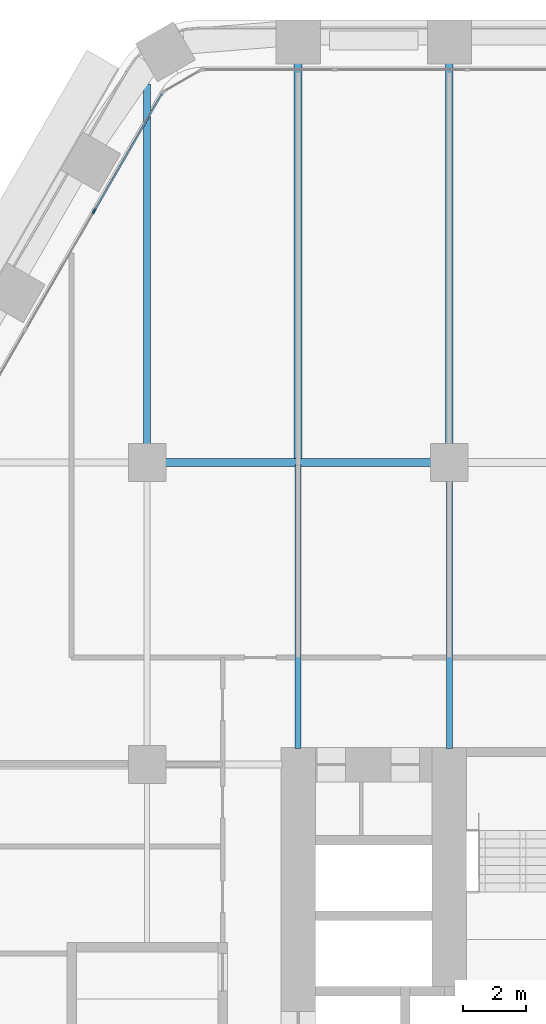
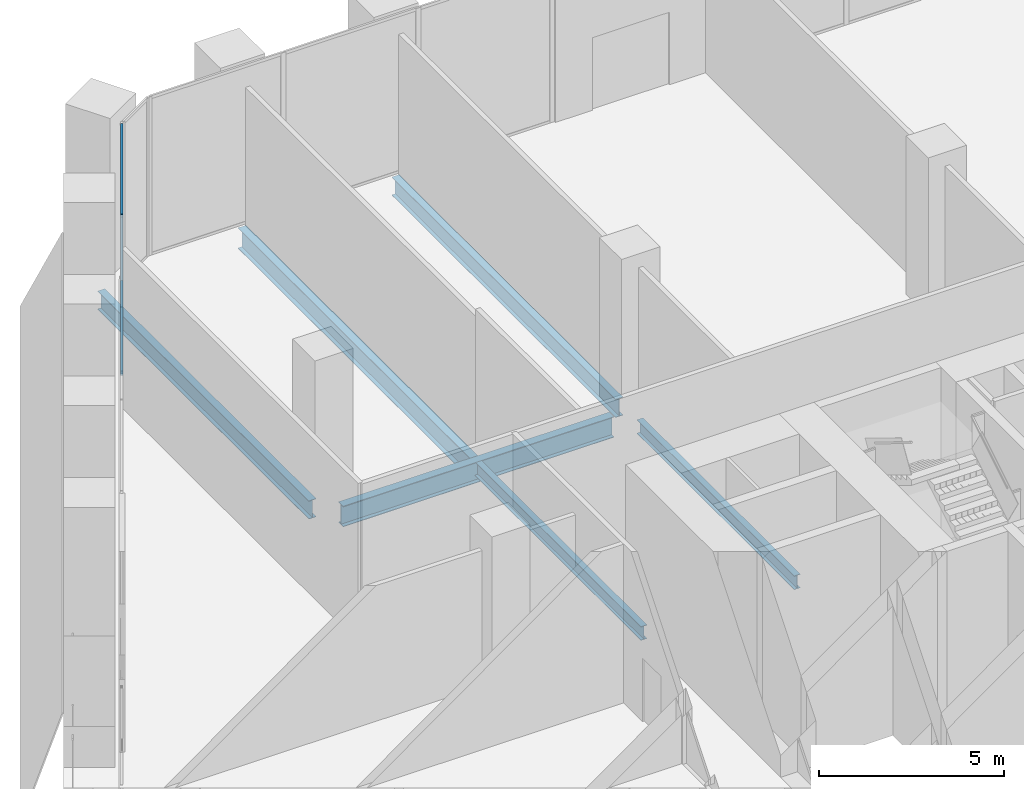
# One storey, part 8 of 27: 6 beams, 3 members, 1 element without a shape of its own.
"""IFC4 building model written with IfcOpenShell, lengths in metres."""

from ifc_helpers import new_model, si_unit, direction, frame, origin, origin_2d, place, context, subcontext, project, spatial, rectangle, i_section, extrude, material, material_profile, profile_set, type_object, element, aggregate, save


model = new_model("IFC4")

# Units and contexts
model_context = context("Model", 3, precision=1e-05, world=origin(), true_north=direction((0.0, 1.0)))
body_context = subcontext(model_context, "Body", "Model", "MODEL_VIEW")
ifc_project = project(units=[si_unit("LENGTHUNIT", "METRE"), si_unit("AREAUNIT", "SQUARE_METRE"), si_unit("VOLUMEUNIT", "CUBIC_METRE"), si_unit("PLANEANGLEUNIT", "RADIAN"), si_unit("MASSUNIT", "GRAM", prefix="KILO")], contexts=[model_context])

# Site, building, storey
site_placement = place(None, origin())
site = spatial("IfcSite", under=ifc_project, at=site_placement, CompositionType="ELEMENT")
building_placement = place(site_placement, origin())
building = spatial("IfcBuilding", under=site, at=building_placement, Name="Kolab Exchange Tower", CompositionType="ELEMENT")
storey_placement = place(building_placement, frame((0.0, 0.0, 22.39990234375)))
storey = spatial("IfcBuildingStorey", under=building, at=storey_placement, Name="L04", CompositionType="ELEMENT", Elevation=22.39990234375)

# Beams
ifc_material_1 = material(Name="Steel S355", Category="steel")
ifc_material_profile_1 = material_profile(ifc_material_1, i_section(OverallWidth=0.18994140625, OverallDepth=0.45703125, WebThickness=0.009033203125, FlangeThickness=0.014404296875, at=origin_2d()), Name="W460X74")
ifc_profile_set_1 = profile_set([ifc_material_profile_1], Name="Steel S355")
beam_type_1 = type_object("IfcBeamType", Name="FLOOR BEAM W460X74", PredefinedType="BEAM", material=ifc_profile_set_1)
beam_1_placement = place(storey_placement, frame((-14.39990234375, 10.110107421875, -0.478515625), z_axis=(0.0, 1.0, 0.0), x_axis=(-1.0, 0.0, 0.0)))
element("IfcBeam", 1, at=beam_1_placement, inside=storey, type_object=beam_type_1, Name="beam/L04/fr/020", PredefinedType="BEAM", context=body_context, shape_type="SweptSolid", body=[
    extrude(i_section(OverallWidth=0.18994140625, OverallDepth=0.45703125, WebThickness=0.009033203125, FlangeThickness=0.014404296875, at=origin_2d()), origin(), (0.0, 0.0, 1.0), 9.0029296875),
])
beam_2_placement = place(storey_placement, frame((-9.60009765625, 10.110107421875, -0.478515625), z_axis=(0.0, 1.0, 0.0), x_axis=(-1.0, 0.0, 0.0)))
element("IfcBeam", 2, at=beam_2_placement, inside=storey, type_object=beam_type_1, Name="beam/L04/fr/024", PredefinedType="BEAM", context=body_context, shape_type="SweptSolid", body=[
    extrude(i_section(OverallWidth=0.18994140625, OverallDepth=0.45703125, WebThickness=0.009033203125, FlangeThickness=0.014404296875, at=origin_2d()), origin(), (0.0, 0.0, 1.0), 8.52978515625),
])
ifc_material_profile_2 = material_profile(ifc_material_1, i_section(OverallWidth=0.22802734375, OverallDepth=0.60791015625, WebThickness=0.01123046875, FlangeThickness=0.017333984375, at=origin_2d()), Name="W610X113")
ifc_profile_set_2 = profile_set([ifc_material_profile_2], Name="Steel S355")
beam_type_2 = type_object("IfcBeamType", Name="FLOOR BEAM W610X113", PredefinedType="BEAM", material=ifc_profile_set_2)
beam_3_placement = place(storey_placement, frame((-19.199951171875, 19.760009765625, -0.553955078125), z_axis=(0.0, 1.0, 0.0), x_axis=(-1.0, 0.0, 0.0)))
element("IfcBeam", 3, at=beam_3_placement, inside=storey, type_object=beam_type_2, Name="beam/L04/fr/017", PredefinedType="BEAM", context=body_context, shape_type="SweptSolid", body=[
    extrude(i_section(OverallWidth=0.22802734375, OverallDepth=0.60791015625, WebThickness=0.01123046875, FlangeThickness=0.017333984375, at=origin_2d()), origin(), (0.0, 0.0, 1.0), 11.45458984375),
])
beam_4_placement = place(storey_placement, frame((-9.60009765625, 19.760009765625, -0.553955078125), z_axis=(0.0, 1.0, 0.0), x_axis=(-1.0, 0.0, 0.0)))
element("IfcBeam", 4, at=beam_4_placement, inside=storey, type_object=beam_type_2, Name="beam/L04/fr/025", PredefinedType="BEAM", context=body_context, shape_type="SweptSolid", body=[
    extrude(i_section(OverallWidth=0.22802734375, OverallDepth=0.60791015625, WebThickness=0.01123046875, FlangeThickness=0.017333984375, at=origin_2d()), origin(), (0.0, 0.0, 1.0), 12.135498046875),
])
ifc_material_profile_3 = material_profile(ifc_material_1, i_section(OverallWidth=0.25390625, OverallDepth=0.68408203125, WebThickness=0.012451171875, FlangeThickness=0.018798828125, at=origin_2d()), Name="W690X140")
ifc_profile_set_3 = profile_set([ifc_material_profile_3], Name="Steel S355")
beam_type_3 = type_object("IfcBeamType", Name="FLOOR BEAM W690X140", PredefinedType="BEAM", material=ifc_profile_set_3)
beam_5_placement = place(storey_placement, frame((-14.39990234375, 19.287109375, -0.591796875), z_axis=(0.0, 1.0, 0.0), x_axis=(-1.0, 0.0, 0.0)))
element("IfcBeam", 5, at=beam_5_placement, inside=storey, type_object=beam_type_3, Name="beam/L04/fr/021", PredefinedType="BEAM", context=body_context, shape_type="SweptSolid", body=[
    extrude(i_section(OverallWidth=0.25390625, OverallDepth=0.68408203125, WebThickness=0.012451171875, FlangeThickness=0.018798828125, at=origin_2d()), origin(), (0.0, 0.0, 1.0), 12.6083984375),
])
ifc_material_profile_4 = material_profile(ifc_material_1, i_section(OverallWidth=0.25390625, OverallDepth=0.68408203125, WebThickness=0.012451171875, FlangeThickness=0.018798828125, at=origin_2d()), Name="W690X140")
ifc_profile_set_4 = profile_set([ifc_material_profile_4], Name="Steel S355")
beam_type_4 = type_object("IfcBeamType", Name="FLOOR GIRDER W690X140", PredefinedType="BEAM", material=ifc_profile_set_4)
beam_6_placement = place(storey_placement, frame((-18.639892578125, 19.199951171875, -0.591796875), z_axis=(1.0, 0.0, 0.0), x_axis=(0.0, 1.0, 0.0)))
element("IfcBeam", 6, at=beam_6_placement, inside=storey, type_object=beam_type_4, Name="beam/L04/gd/009", PredefinedType="BEAM", context=body_context, shape_type="SweptSolid", body=[
    extrude(i_section(OverallWidth=0.25390625, OverallDepth=0.68408203125, WebThickness=0.012451171875, FlangeThickness=0.018798828125, at=origin_2d()), origin(), (0.0, 0.0, 1.0), 8.47998046875),
])

# Curtain wall, members
ifc_material_2 = material(Name="Aluminium EN AW-6063 T6", Category="aluminium")
curtain_wall_type = type_object("IfcCurtainWallType", Name="UNITISED LOW ZONE CURTAIN WALL", PredefinedType="NOTDEFINED", material=ifc_material_2)
curtain_wall_placement = place(storey_placement, origin())
curtain_wall = element("IfcCurtainWall", 7, at=curtain_wall_placement, inside=storey, type_object=curtain_wall_type, Name="cw/L04/F6-2", PredefinedType="NOTDEFINED")
ifc_material_profile_5 = material_profile(ifc_material_2, rectangle(XDim=0.06005859375, YDim=0.159912109375, at=origin_2d()), Name="RECT 60X160")
ifc_profile_set_5 = profile_set([ifc_material_profile_5], Name="Aluminium EN AW-6063 T6")
member_type_1 = type_object("IfcMemberType", Name="UNITISED LOW ZONE MULLION 60 X 160", PredefinedType="MULLION", material=ifc_profile_set_5)
member_1_placement = place(storey_placement, frame((-20.881103515625, 27.183349609375, 0.0), z_axis=(0.0, 0.0, 1.0), x_axis=(-0.866025397318, 0.5000000112, 0.0)))
member_1 = element("IfcMember", 8, at=member_1_placement, type_object=member_type_1, Name="CW1 mullion 4", PredefinedType="MULLION", context=body_context, shape_type="SweptSolid", body=[
    extrude(rectangle(XDim=0.06005859375, YDim=0.159912109375, at=origin_2d()), origin(), (0.0, 0.0, 1.0), 5.25),
])
ifc_material_profile_6 = material_profile(ifc_material_2, rectangle(XDim=0.06005859375, YDim=0.10009765625, at=origin_2d()), Name="RECT 60X100")
ifc_profile_set_6 = profile_set([ifc_material_profile_6], Name="Aluminium EN AW-6063 T6")
member_type_2 = type_object("IfcMemberType", Name="UNITISED LOW ZONE TRANSOM 60 X 100", PredefinedType="USERDEFINED", material=ifc_profile_set_6)
member_2_placement = place(storey_placement, frame((-20.8662109375, 27.20947265625, 0.030029296875), z_axis=(0.500000816281, 0.866024932504, 0.0), x_axis=(-0.866024932504, 0.500000816281, 0.0)))
member_2 = element("IfcMember", 9, at=member_2_placement, type_object=member_type_2, Name="CW1 transom 4.1", ObjectType="TRANSOM", PredefinedType="USERDEFINED", context=body_context, shape_type="SweptSolid", body=[
    extrude(rectangle(XDim=0.06005859375, YDim=0.10009765625, at=origin_2d()), origin(), (0.0, 0.0, 1.0), 4.27685546875),
])
member_3_placement = place(storey_placement, frame((-20.8662109375, 27.20947265625, 5.22021484375), z_axis=(0.500000816281, 0.866024932504, 0.0), x_axis=(-0.866024932504, 0.500000816281, 0.0)))
member_3 = element("IfcMember", 10, at=member_3_placement, type_object=member_type_2, Name="CW1 transom 4.2", ObjectType="TRANSOM", PredefinedType="USERDEFINED", context=body_context, shape_type="SweptSolid", body=[
    extrude(rectangle(XDim=0.06005859375, YDim=0.10009765625, at=origin_2d()), origin(), (0.0, 0.0, 1.0), 4.27685546875),
])
aggregate(curtain_wall, [member_1, member_2, member_3])

save(model, "model.ifc")
